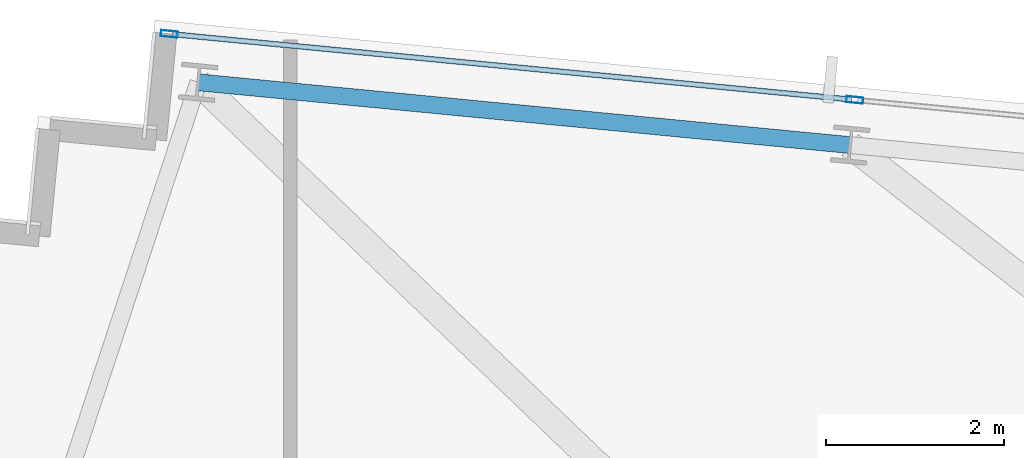
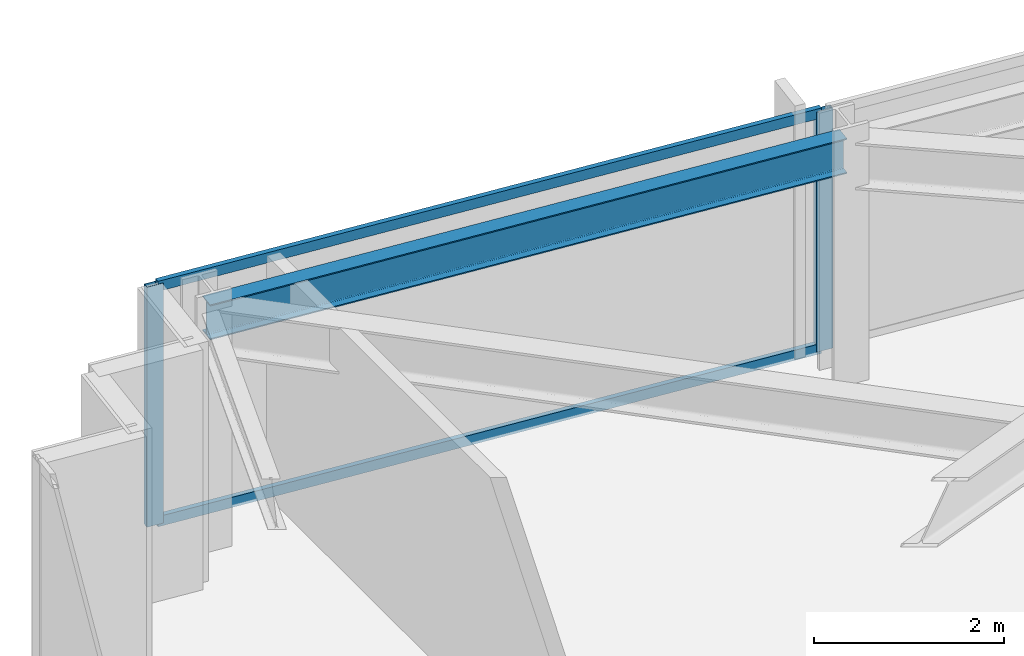
# One storey, part 23 of 38: 4 members, 1 beam, 1 element without a shape of its own.
"""IFC4 building model written with IfcOpenShell, lengths in metres."""

from ifc_helpers import new_model, si_unit, direction, frame, origin, origin_2d, place, context, subcontext, project, spatial, hollow_rectangle, i_section, extrude, material, material_profile, profile_set, type_object, element, aggregate, save


model = new_model("IFC4")

# Units and contexts
model_context = context("Model", 3, precision=1e-05, world=origin(), true_north=direction((0.0, 1.0)))
body_context = subcontext(model_context, "Body", "Model", "MODEL_VIEW")
ifc_project = project(units=[si_unit("LENGTHUNIT", "METRE"), si_unit("AREAUNIT", "SQUARE_METRE"), si_unit("VOLUMEUNIT", "CUBIC_METRE"), si_unit("PLANEANGLEUNIT", "RADIAN"), si_unit("MASSUNIT", "GRAM", prefix="KILO")], contexts=[model_context])

# Site, building, storey
site_placement = place(None, origin())
site = spatial("IfcSite", under=ifc_project, at=site_placement, CompositionType="ELEMENT")
building_placement = place(site_placement, origin())
building = spatial("IfcBuilding", under=site, at=building_placement, Name="Yelkora Congress Tower", CompositionType="ELEMENT")
storey_placement = place(building_placement, frame((0.0, 0.0, 185.300048828125)))
storey = spatial("IfcBuildingStorey", under=building, at=storey_placement, Name="L51", CompositionType="ELEMENT", Elevation=185.300048828125)

# Beam
ifc_material_1 = material(Name="Steel S355J2", Category="steel")
ifc_material_profile_1 = material_profile(ifc_material_1, i_section(OverallWidth=0.18994140625, OverallDepth=0.449951171875, WebThickness=0.009521484375, FlangeThickness=0.0146484375, FilletRadius=0.02099609375, at=origin_2d()), Name="IPE 450")
ifc_profile_set_1 = profile_set([ifc_material_profile_1], Name="Steel S355J2")
beam_type = type_object("IfcBeamType", Name="BM-SPAN-IPE450", PredefinedType="SPANDREL", material=ifc_profile_set_1)
beam_placement = place(storey_placement, frame((14.712158203125, 49.685546875, 2.85498046875), z_axis=(-0.995397104697, 0.095836339457, 0.0), x_axis=(-0.095836339457, -0.995397104697, 0.0)))
element("IfcBeam", 1, at=beam_placement, inside=storey, type_object=beam_type, Name="L51 Perimeter Beam 15", PredefinedType="SPANDREL", context=body_context, shape_type="SweptSolid", body=[
    extrude(i_section(OverallWidth=0.18994140625, OverallDepth=0.449951171875, WebThickness=0.009521484375, FlangeThickness=0.0146484375, FilletRadius=0.02099609375, at=origin_2d()), origin(), (0.0, 0.0, 1.0), 7.357177734375),
])

# Curtain wall, members
ifc_material_2 = material(Name="Anodised aluminium and insulated glass", Category="aluminium")
curtain_wall_type = type_object("IfcCurtainWallType", Name="CW-SYS-B3", PredefinedType="NOTDEFINED", material=ifc_material_2)
curtain_wall_placement = place(storey_placement, origin())
curtain_wall = element("IfcCurtainWall", 2, at=curtain_wall_placement, inside=storey, type_object=curtain_wall_type, Name="L51 Unitised Curtain Wall 10 (1)", PredefinedType="NOTDEFINED")
ifc_material_3 = material(Name="Anodised aluminium 6063-T6", Category="aluminium")
ifc_material_profile_2 = material_profile(ifc_material_3, hollow_rectangle(XDim=0.070068359375, YDim=0.18994140625, WallThickness=0.00390625, at=origin_2d()), Name="ALU 70x190x4")
ifc_profile_set_2 = profile_set([ifc_material_profile_2], Name="Anodised aluminium 6063-T6")
member_type_1 = type_object("IfcMemberType", Name="MEM-ML-B3", PredefinedType="MULLION", material=ifc_profile_set_2)
member_1_placement = place(storey_placement, frame((7.064453125, 50.934326171875, 0.0), z_axis=(0.0, 0.0, 1.0), x_axis=(0.095844761168, 0.995396293823, 0.0)))
member_1 = element("IfcMember", 3, at=member_1_placement, type_object=member_type_1, Name="CW-B3 mullion 1", PredefinedType="MULLION", context=body_context, shape_type="SweptSolid", body=[
    extrude(hollow_rectangle(XDim=0.070068359375, YDim=0.18994140625, WallThickness=0.00390625, at=origin_2d()), origin(), (0.0, 0.0, 1.0), 3.079833984375),
])
member_2_placement = place(storey_placement, frame((14.76318359375, 50.19287109375, 0.0), z_axis=(0.0, 0.0, 1.0), x_axis=(0.095844761168, 0.995396293823, 0.0)))
member_2 = element("IfcMember", 4, at=member_2_placement, type_object=member_type_1, Name="CW-B3 mullion 2", PredefinedType="MULLION", context=body_context, shape_type="SweptSolid", body=[
    extrude(hollow_rectangle(XDim=0.070068359375, YDim=0.18994140625, WallThickness=0.00390625, at=origin_2d()), origin(), (0.0, 0.0, 1.0), 3.079833984375),
])
ifc_material_profile_3 = material_profile(ifc_material_3, hollow_rectangle(XDim=0.06005859375, YDim=0.1298828125, WallThickness=0.00390625, at=origin_2d()), Name="ALU 60x130x4")
ifc_profile_set_3 = profile_set([ifc_material_profile_3], Name="Anodised aluminium 6063-T6")
member_type_2 = type_object("IfcMemberType", Name="MEM-TR-B3", PredefinedType="USERDEFINED", material=ifc_profile_set_3)
member_3_placement = place(storey_placement, frame((7.099365234375, 50.930908203125, 0.030029296875), z_axis=(0.995395712642, -0.09585079683, 0.0), x_axis=(0.09585079683, 0.995395712642, 0.0)))
member_3 = element("IfcMember", 5, at=member_3_placement, type_object=member_type_2, Name="CW-B3 transom 1.1", ObjectType="TRANSOM", PredefinedType="USERDEFINED", context=body_context, shape_type="SweptSolid", body=[
    extrude(hollow_rectangle(XDim=0.06005859375, YDim=0.1298828125, WallThickness=0.00390625, at=origin_2d()), origin(), (0.0, 0.0, 1.0), 7.664306640625),
])
member_4_placement = place(storey_placement, frame((7.099365234375, 50.930908203125, 3.050048828125), z_axis=(0.995395712642, -0.09585079683, 0.0), x_axis=(0.09585079683, 0.995395712642, 0.0)))
member_4 = element("IfcMember", 6, at=member_4_placement, type_object=member_type_2, Name="CW-B3 transom 1.2", ObjectType="TRANSOM", PredefinedType="USERDEFINED", context=body_context, shape_type="SweptSolid", body=[
    extrude(hollow_rectangle(XDim=0.06005859375, YDim=0.1298828125, WallThickness=0.00390625, at=origin_2d()), origin(), (0.0, 0.0, 1.0), 7.664306640625),
])
aggregate(curtain_wall, [member_1, member_2, member_3, member_4])

save(model, "model.ifc")
